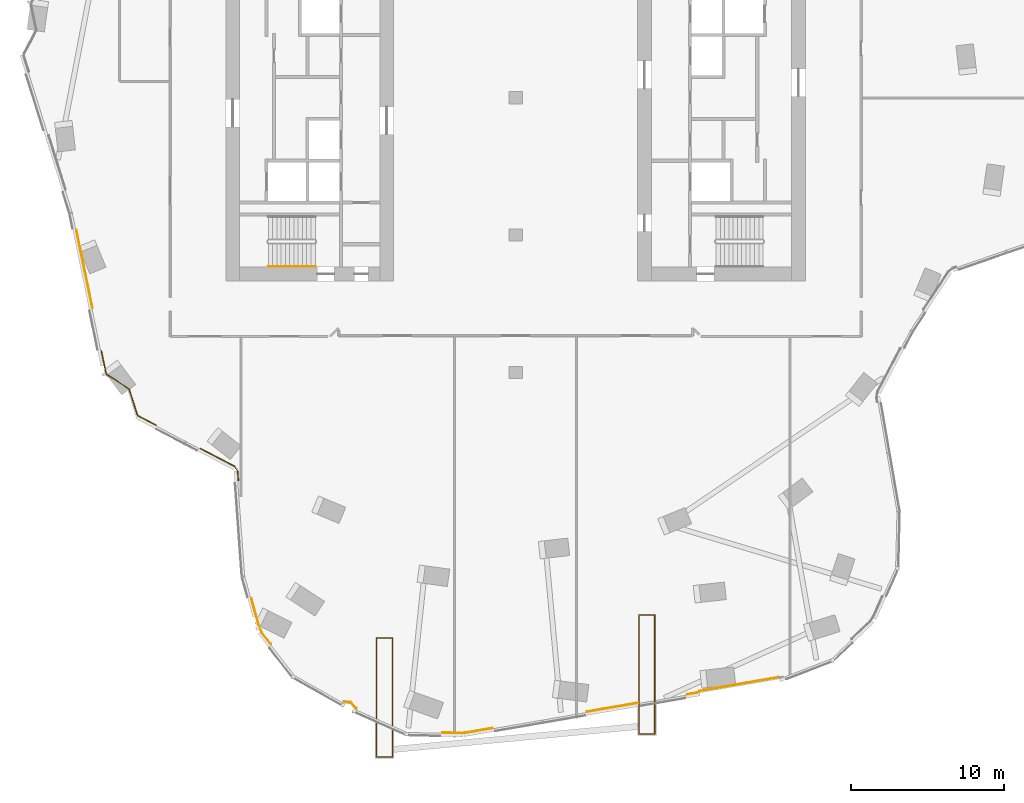
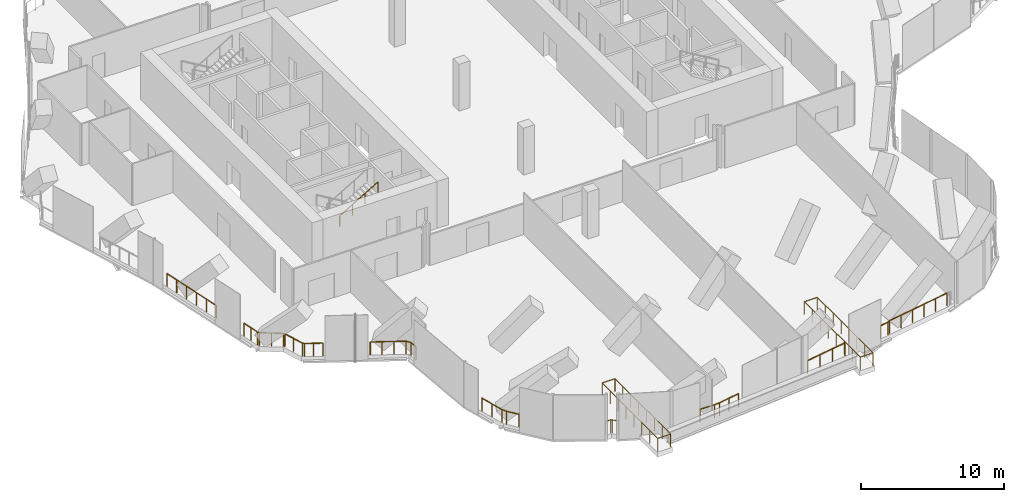
# One storey, part 22 of 26: 11 railings.
"""IFC4 building model written with IfcOpenShell, lengths in metres."""

from ifc_helpers import new_model, si_unit, direction, frame, origin, origin_2d, place, context, subcontext, project, spatial, circle, extrude, material, type_object, element, save


model = new_model("IFC4")

# Units and contexts
model_context = context("Model", 3, precision=1e-05, world=origin(), true_north=direction((0.0, 1.0)))
body_context = subcontext(model_context, "Body", "Model", "MODEL_VIEW")
ifc_project = project(units=[si_unit("LENGTHUNIT", "METRE"), si_unit("AREAUNIT", "SQUARE_METRE"), si_unit("VOLUMEUNIT", "CUBIC_METRE"), si_unit("PLANEANGLEUNIT", "RADIAN"), si_unit("MASSUNIT", "GRAM", prefix="KILO")], contexts=[model_context])

# Site, building, storey
site_placement = place(None, origin())
site = spatial("IfcSite", under=ifc_project, at=site_placement, CompositionType="ELEMENT")
building_placement = place(site_placement, origin())
building = spatial("IfcBuilding", under=site, at=building_placement, Name="Orlundy Tower", CompositionType="ELEMENT")
storey_placement = place(building_placement, frame((0.0, 0.0, 249.5)))
storey = spatial("IfcBuildingStorey", under=building, at=storey_placement, Name="L66", CompositionType="ELEMENT", Elevation=249.5)

# Railings
ifc_material_1 = material(Name="Steel handrail", Category="steel")
railing_type_1 = type_object("IfcRailingType", Name="Stair Handrail 900", PredefinedType="HANDRAIL", material=ifc_material_1)
railing_1_placement = place(storey_placement, frame((-16.219970703125, -11.050048828125, 2.166748046875)))
element("IfcRailing", 1, at=railing_1_placement, inside=storey, type_object=railing_type_1, Name="L66 ST-W2 stair handrail 2", PredefinedType="HANDRAIL", context=body_context, shape_type="SweptSolid", body=[
    extrude(circle(Radius=0.02392578125, at=origin_2d()), frame((0.0, 0.0, 0.8759765625), z_axis=(0.859308565015, 0.0, 0.511457515432), x_axis=(0.0, 1.0, 0.0)), (0.0, 0.0, 1.0), 3.58447265625),
    extrude(circle(Radius=0.02099609375, at=origin_2d()), origin(), (0.0, 0.0, 1.0), 0.851806640625),
    extrude(circle(Radius=0.02099609375, at=origin_2d()), frame((1.026611328125, 0.0, 0.611083984375)), (0.0, 0.0, 1.0), 0.851806640625),
    extrude(circle(Radius=0.02099609375, at=origin_2d()), frame((2.053466796875, 0.0, 1.22216796875)), (0.0, 0.0, 1.0), 0.851806640625),
    extrude(circle(Radius=0.02099609375, at=origin_2d()), frame((3.080078125, 0.0, 1.833251953125)), (0.0, 0.0, 1.0), 0.851806640625),
])
ifc_material_2 = material(Name="Stainless steel bronze finish", Category="steel")
railing_type_2 = type_object("IfcRailingType", Name="TG1 terrace guard", PredefinedType="GUARDRAIL", material=ifc_material_2)
railing_2_placement = place(storey_placement, frame((-23.5888671875, -21.460693359375, 0.0)))
element("IfcRailing", 2, at=railing_2_placement, inside=storey, type_object=railing_type_2, Name="Guard TG-L66-E01", PredefinedType="GUARDRAIL", context=body_context, shape_type="SweptSolid", body=[
    extrude(circle(Radius=0.02490234375, at=origin_2d()), frame((0.0, 0.0, 1.09521484375), z_axis=(-0.88561439438, 0.464421300618, 0.0), x_axis=(-0.464421300618, -0.88561439438, 0.0)), (0.0, 0.0, 1.0), 1.299072265625),
    extrude(circle(Radius=0.02490234375, at=origin_2d()), frame((-1.150390625, 0.603271484375, 1.09521484375), z_axis=(-0.657106451948, 0.753797791724, 0.0), x_axis=(-0.753797791724, -0.657106451948, 0.0)), (0.0, 0.0, 1.0), 0.123779296875),
    extrude(circle(Radius=0.02490234375, at=origin_2d()), frame((-1.231689453125, 0.696533203125, 1.09521484375), z_axis=(-0.29807924462, 0.954541127415, 0.0), x_axis=(-0.954541127415, -0.29807924462, 0.0)), (0.0, 0.0, 1.0), 1.704345703125),
    extrude(circle(Radius=0.02490234375, at=origin_2d()), frame((-1.73974609375, 2.323486328125, 1.09521484375), z_axis=(-0.6, 0.8, 0.0), x_axis=(-0.8, -0.6, 0.0)), (0.0, 0.0, 1.0), 0.08056640625),
    extrude(circle(Radius=0.02490234375, at=origin_2d()), frame((-1.7880859375, 2.387939453125, 1.09521484375), z_axis=(-0.835384201083, 0.549666477585, 0.0), x_axis=(-0.549666477585, -0.835384201083, 0.0)), (0.0, 0.0, 1.0), 1.70458984375),
    extrude(circle(Radius=0.02490234375, at=origin_2d()), frame((-3.212158203125, 3.324951171875, 1.09521484375), z_axis=(-0.544641495757, 0.838668969916, 0.0), x_axis=(-0.838668969916, -0.544641495757, 0.0)), (0.0, 0.0, 1.0), 0.123779296875),
    extrude(circle(Radius=0.02490234375, at=origin_2d()), frame((-3.279541015625, 3.4287109375, 1.09521484375), z_axis=(-0.202148046221, 0.97935497518, 0.0), x_axis=(-0.97935497518, -0.202148046221, 0.0)), (0.0, 0.0, 1.0), 1.44677734375),
    extrude(circle(Radius=0.02001953125, at=origin_2d()), origin(), (0.0, 0.0, 1.0), 1.070068359375),
    extrude(circle(Radius=0.02001953125, at=origin_2d()), frame((-0.5751953125, 0.3017578125, 0.0)), (0.0, 0.0, 1.0), 1.070068359375),
    extrude(circle(Radius=0.02001953125, at=origin_2d()), frame((-1.150390625, 0.603271484375, 0.0)), (0.0, 0.0, 1.0), 1.070068359375),
    extrude(circle(Radius=0.02001953125, at=origin_2d()), frame((-1.231689453125, 0.696533203125, 0.0)), (0.0, 0.0, 1.0), 1.070068359375),
    extrude(circle(Radius=0.02001953125, at=origin_2d()), frame((-1.48583984375, 1.510009765625, 0.0)), (0.0, 0.0, 1.0), 1.070068359375),
    extrude(circle(Radius=0.02001953125, at=origin_2d()), frame((-1.73974609375, 2.323486328125, 0.0)), (0.0, 0.0, 1.0), 1.070068359375),
    extrude(circle(Radius=0.02001953125, at=origin_2d()), frame((-1.7880859375, 2.387939453125, 0.0)), (0.0, 0.0, 1.0), 1.070068359375),
    extrude(circle(Radius=0.02001953125, at=origin_2d()), frame((-2.5, 2.8564453125, 0.0)), (0.0, 0.0, 1.0), 1.070068359375),
    extrude(circle(Radius=0.02001953125, at=origin_2d()), frame((-3.212158203125, 3.324951171875, 0.0)), (0.0, 0.0, 1.0), 1.070068359375),
    extrude(circle(Radius=0.02001953125, at=origin_2d()), frame((-3.279541015625, 3.4287109375, 0.0)), (0.0, 0.0, 1.0), 1.070068359375),
    extrude(circle(Radius=0.02001953125, at=origin_2d()), frame((-3.42578125, 4.13720703125, 0.0)), (0.0, 0.0, 1.0), 1.070068359375),
    extrude(circle(Radius=0.02001953125, at=origin_2d()), frame((-3.572021484375, 4.845703125, 0.0)), (0.0, 0.0, 1.0), 1.070068359375),
])
railing_3_placement = place(storey_placement, frame((17.241455078125, -37.993896484375, 0.0)))
element("IfcRailing", 3, at=railing_3_placement, inside=storey, type_object=railing_type_2, Name="Guard TG-L66-E02", PredefinedType="GUARDRAIL", context=body_context, shape_type="SweptSolid", body=[
    extrude(circle(Radius=0.02490234375, at=origin_2d()), frame((0.0, 0.0, 1.09521484375), z_axis=(-0.985311254897, -0.170768061924, 0.0), x_axis=(0.170768061924, -0.985311254897, 0.0)), (0.0, 0.0, 1.0), 5.249755859375),
    extrude(circle(Radius=0.02490234375, at=origin_2d()), frame((-5.172607421875, -0.896484375, 1.09521484375), z_axis=(-0.85173618789, -0.523970863922, 0.0), x_axis=(0.523970863922, -0.85173618789, 0.0)), (0.0, 0.0, 1.0), 0.21533203125),
    extrude(circle(Radius=0.02490234375, at=origin_2d()), frame((-5.35595703125, -1.00927734375, 1.09521484375), z_axis=(-0.985307208514, -0.170791407425, 0.0), x_axis=(0.170791407425, -0.985307208514, 0.0)), (0.0, 0.0, 1.0), 0.6748046875),
    extrude(circle(Radius=0.02001953125, at=origin_2d()), origin(), (0.0, 0.0, 1.0), 1.070068359375),
    extrude(circle(Radius=0.02001953125, at=origin_2d()), frame((-1.034423828125, -0.17919921875, 0.0)), (0.0, 0.0, 1.0), 1.070068359375),
    extrude(circle(Radius=0.02001953125, at=origin_2d()), frame((-2.069091796875, -0.358642578125, 0.0)), (0.0, 0.0, 1.0), 1.070068359375),
    extrude(circle(Radius=0.02001953125, at=origin_2d()), frame((-3.103515625, -0.537841796875, 0.0)), (0.0, 0.0, 1.0), 1.070068359375),
    extrude(circle(Radius=0.02001953125, at=origin_2d()), frame((-4.13818359375, -0.71728515625, 0.0)), (0.0, 0.0, 1.0), 1.070068359375),
    extrude(circle(Radius=0.02001953125, at=origin_2d()), frame((-5.172607421875, -0.896484375, 0.0)), (0.0, 0.0, 1.0), 1.070068359375),
    extrude(circle(Radius=0.02001953125, at=origin_2d()), frame((-5.35595703125, -1.00927734375, 0.0)), (0.0, 0.0, 1.0), 1.070068359375),
    extrude(circle(Radius=0.02001953125, at=origin_2d()), frame((-6.020751953125, -1.12451171875, 0.0)), (0.0, 0.0, 1.0), 1.070068359375),
])
railing_4_placement = place(storey_placement, frame((-27.750244140625, -13.759765625, 0.0)))
element("IfcRailing", 4, at=railing_4_placement, inside=storey, type_object=railing_type_2, Name="Guard TG-L66-E06", PredefinedType="GUARDRAIL", context=body_context, shape_type="SweptSolid", body=[
    extrude(circle(Radius=0.02490234375, at=origin_2d()), frame((0.0, 0.0, 1.09521484375), z_axis=(-0.202218285307, 0.979340474548, 0.0), x_axis=(-0.979340474548, -0.202218285307, 0.0)), (0.0, 0.0, 1.0), 5.190185546875),
    extrude(circle(Radius=0.02001953125, at=origin_2d()), origin(), (0.0, 0.0, 1.0), 1.070068359375),
    extrude(circle(Radius=0.02001953125, at=origin_2d()), frame((-0.2099609375, 1.0166015625, 0.0)), (0.0, 0.0, 1.0), 1.070068359375),
    extrude(circle(Radius=0.02001953125, at=origin_2d()), frame((-0.419921875, 2.033203125, 0.0)), (0.0, 0.0, 1.0), 1.070068359375),
    extrude(circle(Radius=0.02001953125, at=origin_2d()), frame((-0.629638671875, 3.0498046875, 0.0)), (0.0, 0.0, 1.0), 1.070068359375),
    extrude(circle(Radius=0.02001953125, at=origin_2d()), frame((-0.839599609375, 4.06640625, 0.0)), (0.0, 0.0, 1.0), 1.070068359375),
    extrude(circle(Radius=0.02001953125, at=origin_2d()), frame((-1.049560546875, 5.0830078125, 0.0)), (0.0, 0.0, 1.0), 1.070068359375),
])
railing_5_placement = place(storey_placement, frame((-18.185302734375, -25.089599609375, 0.0)))
element("IfcRailing", 5, at=railing_5_placement, inside=storey, type_object=railing_type_2, Name="Guard TG-L66-E018", PredefinedType="GUARDRAIL", context=body_context, shape_type="SweptSolid", body=[
    extrude(circle(Radius=0.02490234375, at=origin_2d()), frame((0.0, 0.0, 1.09521484375), z_axis=(-0.072731920358, 0.997351526675, 0.0), x_axis=(-0.997351526675, -0.072731920358, 0.0)), (0.0, 0.0, 1.0), 0.607666015625),
    extrude(circle(Radius=0.02490234375, at=origin_2d()), frame((-0.044189453125, 0.60595703125, 1.09521484375), z_axis=(-0.548450586232, 0.836182967096, 0.0), x_axis=(-0.836182967096, -0.548450586232, 0.0)), (0.0, 0.0, 1.0), 0.388671875),
    extrude(circle(Radius=0.02490234375, at=origin_2d()), frame((-0.25732421875, 0.930908203125, 1.09521484375), z_axis=(-0.885665125806, 0.464324546984, 0.0), x_axis=(-0.464324546984, -0.885665125806, 0.0)), (0.0, 0.0, 1.0), 2.4990234375),
    extrude(circle(Radius=0.02001953125, at=origin_2d()), origin(), (0.0, 0.0, 1.0), 1.070068359375),
    extrude(circle(Radius=0.02001953125, at=origin_2d()), frame((-0.044189453125, 0.60595703125, 0.0)), (0.0, 0.0, 1.0), 1.070068359375),
    extrude(circle(Radius=0.02001953125, at=origin_2d()), frame((-0.25732421875, 0.930908203125, 0.0)), (0.0, 0.0, 1.0), 1.070068359375),
    extrude(circle(Radius=0.02001953125, at=origin_2d()), frame((-0.9951171875, 1.317626953125, 0.0)), (0.0, 0.0, 1.0), 1.070068359375),
    extrude(circle(Radius=0.02001953125, at=origin_2d()), frame((-1.73291015625, 1.70458984375, 0.0)), (0.0, 0.0, 1.0), 1.070068359375),
    extrude(circle(Radius=0.02001953125, at=origin_2d()), frame((-2.470703125, 2.09130859375, 0.0)), (0.0, 0.0, 1.0), 1.070068359375),
])
railing_6_placement = place(storey_placement, frame((8.022216796875, -39.6728515625, 0.0)))
element("IfcRailing", 6, at=railing_6_placement, inside=storey, type_object=railing_type_2, Name="Guard TG-L66-E020", PredefinedType="GUARDRAIL", context=body_context, shape_type="SweptSolid", body=[
    extrude(circle(Radius=0.02490234375, at=origin_2d()), frame((0.0, 0.0, 1.09521484375), z_axis=(-0.98531980147, -0.170718741887, 0.0), x_axis=(0.170718741887, -0.98531980147, 0.0)), (0.0, 0.0, 1.0), 3.3935546875),
    extrude(circle(Radius=0.02001953125, at=origin_2d()), origin(), (0.0, 0.0, 1.0), 1.070068359375),
    extrude(circle(Radius=0.02001953125, at=origin_2d()), frame((-1.114501953125, -0.193115234375, 0.0)), (0.0, 0.0, 1.0), 1.070068359375),
    extrude(circle(Radius=0.02001953125, at=origin_2d()), frame((-2.229248046875, -0.38623046875, 0.0)), (0.0, 0.0, 1.0), 1.070068359375),
    extrude(circle(Radius=0.02001953125, at=origin_2d()), frame((-3.34375, -0.579345703125, 0.0)), (0.0, 0.0, 1.0), 1.070068359375),
])
railing_7_placement = place(storey_placement, frame((-1.524658203125, -41.327392578125, 0.0)))
element("IfcRailing", 7, at=railing_7_placement, inside=storey, type_object=railing_type_2, Name="Guard TG-L66-E021", PredefinedType="GUARDRAIL", context=body_context, shape_type="SweptSolid", body=[
    extrude(circle(Radius=0.02490234375, at=origin_2d()), frame((0.0, 0.0, 1.09521484375), z_axis=(-0.985307390644, -0.170790356703, 0.0), x_axis=(0.170790356703, -0.985307390644, 0.0)), (0.0, 0.0, 1.0), 1.73974609375),
    extrude(circle(Radius=0.02490234375, at=origin_2d()), frame((-1.714111328125, -0.297119140625, 1.09521484375), z_axis=(-0.997317037766, -0.07320332084, 0.0), x_axis=(0.07320332084, -0.997317037766, 0.0)), (0.0, 0.0, 1.0), 0.39013671875),
    extrude(circle(Radius=0.02490234375, at=origin_2d()), frame((-2.103271484375, -0.32568359375, 1.09521484375), z_axis=(-0.999696652975, 0.024629292145, 0.0), x_axis=(-0.024629292145, -0.999696652975, 0.0)), (0.0, 0.0, 1.0), 1.15966796875),
    extrude(circle(Radius=0.02001953125, at=origin_2d()), origin(), (0.0, 0.0, 1.0), 1.070068359375),
    extrude(circle(Radius=0.02001953125, at=origin_2d()), frame((-0.85693359375, -0.1484375, 0.0)), (0.0, 0.0, 1.0), 1.070068359375),
    extrude(circle(Radius=0.02001953125, at=origin_2d()), frame((-1.714111328125, -0.297119140625, 0.0)), (0.0, 0.0, 1.0), 1.070068359375),
    extrude(circle(Radius=0.02001953125, at=origin_2d()), frame((-2.103271484375, -0.32568359375, 0.0)), (0.0, 0.0, 1.0), 1.070068359375),
    extrude(circle(Radius=0.02001953125, at=origin_2d()), frame((-3.2626953125, -0.297119140625, 0.0)), (0.0, 0.0, 1.0), 1.070068359375),
])
railing_8_placement = place(storey_placement, frame((-16.05419921875, -35.816162109375, 0.0)))
element("IfcRailing", 8, at=railing_8_placement, inside=storey, type_object=railing_type_2, Name="Guard TG-L66-E022", PredefinedType="GUARDRAIL", context=body_context, shape_type="SweptSolid", body=[
    extrude(circle(Radius=0.02490234375, at=origin_2d()), frame((0.0, 0.0, 1.09521484375), z_axis=(-0.614429639926, 0.788971620263, 0.0), x_axis=(-0.788971620263, -0.614429639926, 0.0)), (0.0, 0.0, 1.0), 0.932861328125),
    extrude(circle(Radius=0.02490234375, at=origin_2d()), frame((-0.5732421875, 0.736083984375, 1.09521484375), z_axis=(-0.449287022298, 0.893387470023, 0.0), x_axis=(-0.893387470023, -0.449287022298, 0.0)), (0.0, 0.0, 1.0), 0.37646484375),
    extrude(circle(Radius=0.02490234375, at=origin_2d()), frame((-0.742431640625, 1.072509765625, 1.09521484375), z_axis=(-0.265719190709, 0.964050471546, 0.0), x_axis=(-0.964050471546, -0.265719190709, 0.0)), (0.0, 0.0, 1.0), 1.976318359375),
    extrude(circle(Radius=0.02001953125, at=origin_2d()), origin(), (0.0, 0.0, 1.0), 1.070068359375),
    extrude(circle(Radius=0.02001953125, at=origin_2d()), frame((-0.5732421875, 0.736083984375, 0.0)), (0.0, 0.0, 1.0), 1.070068359375),
    extrude(circle(Radius=0.02001953125, at=origin_2d()), frame((-0.742431640625, 1.072509765625, 0.0)), (0.0, 0.0, 1.0), 1.070068359375),
    extrude(circle(Radius=0.02001953125, at=origin_2d()), frame((-1.0048828125, 2.025146484375, 0.0)), (0.0, 0.0, 1.0), 1.070068359375),
    extrude(circle(Radius=0.02001953125, at=origin_2d()), frame((-1.267578125, 2.977783203125, 0.0)), (0.0, 0.0, 1.0), 1.070068359375),
])
railing_9_placement = place(storey_placement, frame((-10.43603515625, -40.021240234375, 0.0)))
element("IfcRailing", 9, at=railing_9_placement, inside=storey, type_object=railing_type_2, Name="Guard TG-L66-E025", PredefinedType="GUARDRAIL", context=body_context, shape_type="SweptSolid", body=[
    extrude(circle(Radius=0.02490234375, at=origin_2d()), frame((0.0, 0.0, 1.09521484375), z_axis=(-0.689453200318, 0.724330231712, 0.0), x_axis=(-0.724330231712, -0.689453200318, 0.0)), (0.0, 0.0, 1.0), 0.48291015625),
    extrude(circle(Radius=0.02490234375, at=origin_2d()), frame((-0.3330078125, 0.349853515625, 1.09521484375), z_axis=(-0.893216883269, 0.44962606624, 0.0), x_axis=(-0.44962606624, -0.893216883269, 0.0)), (0.0, 0.0, 1.0), 0.080810546875),
    extrude(circle(Radius=0.02490234375, at=origin_2d()), frame((-0.4052734375, 0.38623046875, 1.09521484375), z_axis=(-0.992242744418, 0.124315470278, 0.0), x_axis=(-0.124315470278, -0.992242744418, 0.0)), (0.0, 0.0, 1.0), 0.42822265625),
    extrude(circle(Radius=0.02001953125, at=origin_2d()), origin(), (0.0, 0.0, 1.0), 1.070068359375),
    extrude(circle(Radius=0.02001953125, at=origin_2d()), frame((-0.3330078125, 0.349853515625, 0.0)), (0.0, 0.0, 1.0), 1.070068359375),
    extrude(circle(Radius=0.02001953125, at=origin_2d()), frame((-0.4052734375, 0.38623046875, 0.0)), (0.0, 0.0, 1.0), 1.070068359375),
    extrude(circle(Radius=0.02001953125, at=origin_2d()), frame((-0.830078125, 0.439453125, 0.0)), (0.0, 0.0, 1.0), 1.070068359375),
])
railing_10_placement = place(storey_placement, frame((-8.080078125, -43.222900390625, 0.0)))
element("IfcRailing", 10, at=railing_10_placement, inside=storey, type_object=railing_type_2, Name="Guard TG-L66-PS0", PredefinedType="GUARDRAIL", context=body_context, shape_type="SweptSolid", body=[
    extrude(circle(Radius=0.02490234375, at=origin_2d()), frame((0.0, 0.0, 1.09521484375), z_axis=(-1.0, 0.0, 0.0), x_axis=(0.0, -1.0, 0.0)), (0.0, 0.0, 1.0), 1.0400390625),
    extrude(circle(Radius=0.02490234375, at=origin_2d()), frame((-1.0400390625, 0.0, 1.09521484375), z_axis=(0.0, 1.0, 0.0), x_axis=(-1.0, 0.0, 0.0)), (0.0, 0.0, 1.0), 7.7998046875),
    extrude(circle(Radius=0.02490234375, at=origin_2d()), frame((-1.0400390625, 7.7998046875, 1.09521484375), z_axis=(1.0, 0.0, 0.0), x_axis=(0.0, 1.0, 0.0)), (0.0, 0.0, 1.0), 1.0400390625),
    extrude(circle(Radius=0.02490234375, at=origin_2d()), frame((0.0, 7.7998046875, 1.09521484375), z_axis=(0.0, -1.0, 0.0), x_axis=(1.0, 0.0, 0.0)), (0.0, 0.0, 1.0), 7.739990234375),
    extrude(circle(Radius=0.02001953125, at=origin_2d()), origin(), (0.0, 0.0, 1.0), 1.070068359375),
    extrude(circle(Radius=0.02001953125, at=origin_2d()), frame((-1.0400390625, 0.0, 0.0)), (0.0, 0.0, 1.0), 1.070068359375),
    extrude(circle(Radius=0.02001953125, at=origin_2d()), frame((-1.0400390625, 1.1142578125, 0.0)), (0.0, 0.0, 1.0), 1.070068359375),
    extrude(circle(Radius=0.02001953125, at=origin_2d()), frame((-1.0400390625, 2.228515625, 0.0)), (0.0, 0.0, 1.0), 1.070068359375),
    extrude(circle(Radius=0.02001953125, at=origin_2d()), frame((-1.0400390625, 3.3427734375, 0.0)), (0.0, 0.0, 1.0), 1.070068359375),
    extrude(circle(Radius=0.02001953125, at=origin_2d()), frame((-1.0400390625, 4.45703125, 0.0)), (0.0, 0.0, 1.0), 1.070068359375),
    extrude(circle(Radius=0.02001953125, at=origin_2d()), frame((-1.0400390625, 5.5712890625, 0.0)), (0.0, 0.0, 1.0), 1.070068359375),
    extrude(circle(Radius=0.02001953125, at=origin_2d()), frame((-1.0400390625, 6.685546875, 0.0)), (0.0, 0.0, 1.0), 1.070068359375),
    extrude(circle(Radius=0.02001953125, at=origin_2d()), frame((-1.0400390625, 7.7998046875, 0.0)), (0.0, 0.0, 1.0), 1.070068359375),
    extrude(circle(Radius=0.02001953125, at=origin_2d()), frame((0.0, 7.7998046875, 0.0)), (0.0, 0.0, 1.0), 1.070068359375),
    extrude(circle(Radius=0.02001953125, at=origin_2d()), frame((0.0, 6.694091796875, 0.0)), (0.0, 0.0, 1.0), 1.070068359375),
    extrude(circle(Radius=0.02001953125, at=origin_2d()), frame((0.0, 5.58837890625, 0.0)), (0.0, 0.0, 1.0), 1.070068359375),
    extrude(circle(Radius=0.02001953125, at=origin_2d()), frame((0.0, 4.482666015625, 0.0)), (0.0, 0.0, 1.0), 1.070068359375),
    extrude(circle(Radius=0.02001953125, at=origin_2d()), frame((0.0, 3.376953125, 0.0)), (0.0, 0.0, 1.0), 1.070068359375),
    extrude(circle(Radius=0.02001953125, at=origin_2d()), frame((0.0, 2.271240234375, 0.0)), (0.0, 0.0, 1.0), 1.070068359375),
    extrude(circle(Radius=0.02001953125, at=origin_2d()), frame((0.0, 1.16552734375, 0.0)), (0.0, 0.0, 1.0), 1.070068359375),
    extrude(circle(Radius=0.02001953125, at=origin_2d()), frame((0.0, 0.059814453125, 0.0)), (0.0, 0.0, 1.0), 1.070068359375),
])
railing_11_placement = place(storey_placement, frame((9.1201171875, -41.717041015625, 0.0)))
element("IfcRailing", 11, at=railing_11_placement, inside=storey, type_object=railing_type_2, Name="Guard TG-L66-PS1", PredefinedType="GUARDRAIL", context=body_context, shape_type="SweptSolid", body=[
    extrude(circle(Radius=0.02490234375, at=origin_2d()), frame((0.0, 0.0, 1.09521484375), z_axis=(-1.0, 0.0, 0.0), x_axis=(0.0, -1.0, 0.0)), (0.0, 0.0, 1.0), 1.0400390625),
    extrude(circle(Radius=0.02490234375, at=origin_2d()), frame((-1.0400390625, 0.0, 1.09521484375), z_axis=(0.0, 1.0, 0.0), x_axis=(-1.0, 0.0, 0.0)), (0.0, 0.0, 1.0), 7.800048828125),
    extrude(circle(Radius=0.02490234375, at=origin_2d()), frame((-1.0400390625, 7.800048828125, 1.09521484375), z_axis=(1.0, 0.0, 0.0), x_axis=(0.0, 1.0, 0.0)), (0.0, 0.0, 1.0), 1.0400390625),
    extrude(circle(Radius=0.02490234375, at=origin_2d()), frame((0.0, 7.800048828125, 1.09521484375), z_axis=(0.0, -1.0, 0.0), x_axis=(1.0, 0.0, 0.0)), (0.0, 0.0, 1.0), 7.739990234375),
    extrude(circle(Radius=0.02001953125, at=origin_2d()), origin(), (0.0, 0.0, 1.0), 1.070068359375),
    extrude(circle(Radius=0.02001953125, at=origin_2d()), frame((-1.0400390625, 0.0, 0.0)), (0.0, 0.0, 1.0), 1.070068359375),
    extrude(circle(Radius=0.02001953125, at=origin_2d()), frame((-1.0400390625, 1.1142578125, 0.0)), (0.0, 0.0, 1.0), 1.070068359375),
    extrude(circle(Radius=0.02001953125, at=origin_2d()), frame((-1.0400390625, 2.228515625, 0.0)), (0.0, 0.0, 1.0), 1.070068359375),
    extrude(circle(Radius=0.02001953125, at=origin_2d()), frame((-1.0400390625, 3.3427734375, 0.0)), (0.0, 0.0, 1.0), 1.070068359375),
    extrude(circle(Radius=0.02001953125, at=origin_2d()), frame((-1.0400390625, 4.457275390625, 0.0)), (0.0, 0.0, 1.0), 1.070068359375),
    extrude(circle(Radius=0.02001953125, at=origin_2d()), frame((-1.0400390625, 5.571533203125, 0.0)), (0.0, 0.0, 1.0), 1.070068359375),
    extrude(circle(Radius=0.02001953125, at=origin_2d()), frame((-1.0400390625, 6.685791015625, 0.0)), (0.0, 0.0, 1.0), 1.070068359375),
    extrude(circle(Radius=0.02001953125, at=origin_2d()), frame((-1.0400390625, 7.800048828125, 0.0)), (0.0, 0.0, 1.0), 1.070068359375),
    extrude(circle(Radius=0.02001953125, at=origin_2d()), frame((0.0, 7.800048828125, 0.0)), (0.0, 0.0, 1.0), 1.070068359375),
    extrude(circle(Radius=0.02001953125, at=origin_2d()), frame((0.0, 6.6943359375, 0.0)), (0.0, 0.0, 1.0), 1.070068359375),
    extrude(circle(Radius=0.02001953125, at=origin_2d()), frame((0.0, 5.588623046875, 0.0)), (0.0, 0.0, 1.0), 1.070068359375),
    extrude(circle(Radius=0.02001953125, at=origin_2d()), frame((0.0, 4.48291015625, 0.0)), (0.0, 0.0, 1.0), 1.070068359375),
    extrude(circle(Radius=0.02001953125, at=origin_2d()), frame((0.0, 3.377197265625, 0.0)), (0.0, 0.0, 1.0), 1.070068359375),
    extrude(circle(Radius=0.02001953125, at=origin_2d()), frame((0.0, 2.271484375, 0.0)), (0.0, 0.0, 1.0), 1.070068359375),
    extrude(circle(Radius=0.02001953125, at=origin_2d()), frame((0.0, 1.165771484375, 0.0)), (0.0, 0.0, 1.0), 1.070068359375),
    extrude(circle(Radius=0.02001953125, at=origin_2d()), frame((0.0, 0.06005859375, 0.0)), (0.0, 0.0, 1.0), 1.070068359375),
])

save(model, "model.ifc")
